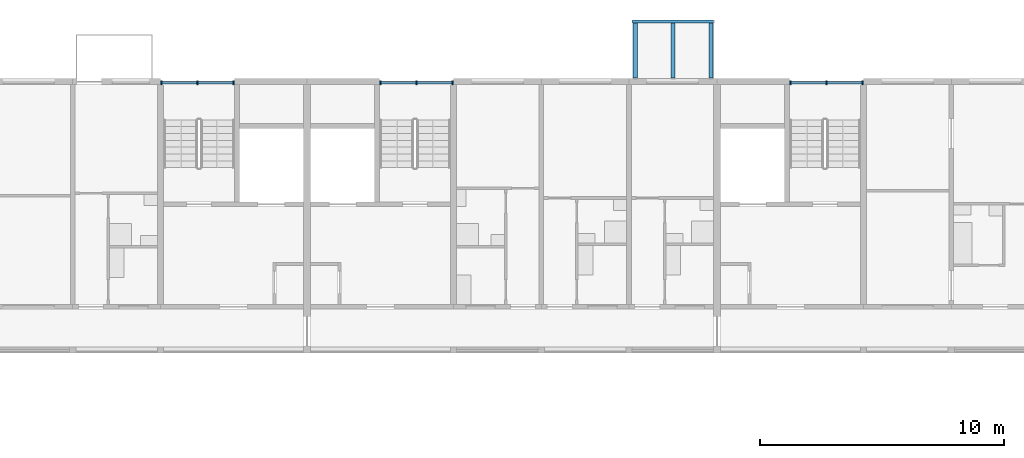
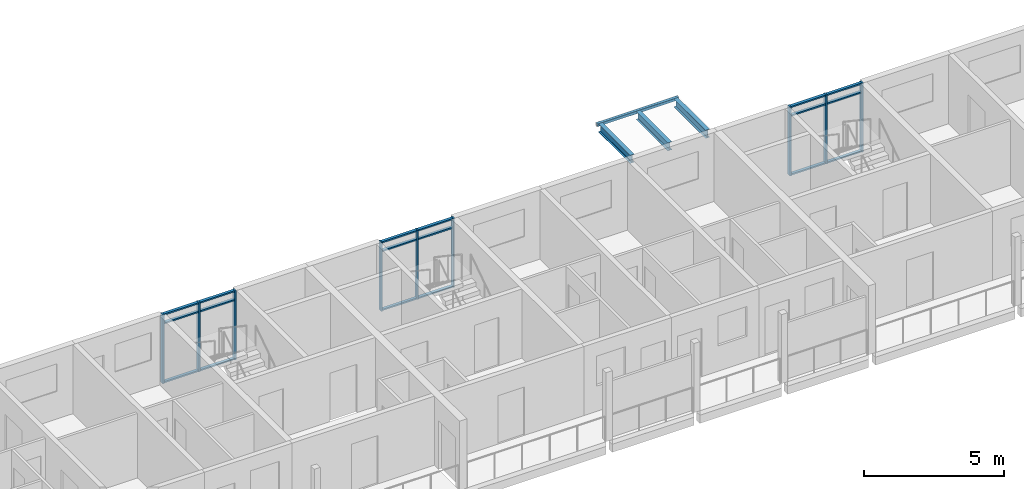
# One storey, part 11 of 100: 27 members, 4 beams, 3 elements without a shape of their own.
"""IFC4 building model written with IfcOpenShell, lengths in metres."""

from ifc_helpers import new_model, si_unit, direction, frame, origin, origin_2d, place, context, subcontext, project, spatial, rectangle, hollow_rectangle, i_section, extrude, material, material_profile, profile_set, type_object, element, aggregate, save


model = new_model("IFC4")

# Units and contexts
model_context = context("Model", 3, precision=1e-05, world=origin(), true_north=direction((0.0, 1.0)))
body_context = subcontext(model_context, "Body", "Model", "MODEL_VIEW")
ifc_project = project(units=[si_unit("LENGTHUNIT", "METRE"), si_unit("AREAUNIT", "SQUARE_METRE"), si_unit("VOLUMEUNIT", "CUBIC_METRE"), si_unit("PLANEANGLEUNIT", "RADIAN"), si_unit("MASSUNIT", "GRAM", prefix="KILO")], contexts=[model_context])

# Site, building, storey
site_placement = place(None, origin())
site = spatial("IfcSite", under=ifc_project, at=site_placement, CompositionType="ELEMENT")
building_placement = place(site_placement, origin())
building = spatial("IfcBuilding", under=site, at=building_placement, Name="Ridgestep Commons", CompositionType="ELEMENT")
storey_placement = place(building_placement, frame((0.0, 0.0, 9.0)))
storey = spatial("IfcBuildingStorey", under=building, at=storey_placement, Name="L03", CompositionType="ELEMENT", Elevation=9.0)

# Curtain wall, members
ifc_material_1 = material(Name="Aluminium 6063-T6 and glass", Category="aluminium")
curtain_wall_type = type_object("IfcCurtainWallType", Name="Curtain wall stair strip", PredefinedType="NOTDEFINED", material=ifc_material_1)
curtain_wall_1_placement = place(storey_placement, origin())
curtain_wall_1 = element("IfcCurtainWall", 1, at=curtain_wall_1_placement, inside=storey, type_object=curtain_wall_type, Name="Curtain wall B1C level 03", PredefinedType="NOTDEFINED")
ifc_material_2 = material(Name="Aluminium 6063-T6", Category="aluminium")
ifc_material_profile_1 = material_profile(ifc_material_2, rectangle(XDim=0.159912109375, YDim=0.06005859375, at=origin_2d()), Name="Mullion 60 x 160")
ifc_profile_set_1 = profile_set([ifc_material_profile_1], Name="Aluminium 6063-T6")
member_type_1 = type_object("IfcMemberType", Name="Mullion 60 x 160", PredefinedType="MULLION", material=ifc_profile_set_1)
member_1_placement = place(storey_placement, frame((22.830078125, 77.080078125, 0.0), z_axis=(0.0, 0.0, 1.0), x_axis=(0.0, 1.0, 0.0)))
member_1 = element("IfcMember", 2, at=member_1_placement, type_object=member_type_1, Name="CW1 mullion 1", PredefinedType="MULLION", context=body_context, shape_type="SweptSolid", body=[
    extrude(rectangle(XDim=0.159912109375, YDim=0.06005859375, at=origin_2d()), origin(), (0.0, 0.0, 1.0), 3.0),
])
member_2_placement = place(storey_placement, frame((24.3125, 77.080078125, 0.0), z_axis=(0.0, 0.0, 1.0), x_axis=(0.0, 1.0, 0.0)))
member_2 = element("IfcMember", 3, at=member_2_placement, type_object=member_type_1, Name="CW1 mullion 2", PredefinedType="MULLION", context=body_context, shape_type="SweptSolid", body=[
    extrude(rectangle(XDim=0.159912109375, YDim=0.06005859375, at=origin_2d()), origin(), (0.0, 0.0, 1.0), 3.0),
])
member_3_placement = place(storey_placement, frame((25.794921875, 77.080078125, 0.0), z_axis=(0.0, 0.0, 1.0), x_axis=(0.0, 1.0, 0.0)))
member_3 = element("IfcMember", 4, at=member_3_placement, type_object=member_type_1, Name="CW1 mullion 3", PredefinedType="MULLION", context=body_context, shape_type="SweptSolid", body=[
    extrude(rectangle(XDim=0.159912109375, YDim=0.06005859375, at=origin_2d()), origin(), (0.0, 0.0, 1.0), 3.0),
])

curtain_wall_2_placement = place(storey_placement, origin())
curtain_wall_2 = element("IfcCurtainWall", 5, at=curtain_wall_2_placement, inside=storey, type_object=curtain_wall_type, Name="Curtain wall B2C level 03", PredefinedType="NOTDEFINED")
member_4_placement = place(storey_placement, frame((31.804931640625, 77.080078125, 0.0), z_axis=(0.0, 0.0, 1.0), x_axis=(0.0, 1.0, 0.0)))
member_4 = element("IfcMember", 6, at=member_4_placement, type_object=member_type_1, Name="CW1 mullion 1", PredefinedType="MULLION", context=body_context, shape_type="SweptSolid", body=[
    extrude(rectangle(XDim=0.159912109375, YDim=0.06005859375, at=origin_2d()), origin(), (0.0, 0.0, 1.0), 3.0),
])
member_5_placement = place(storey_placement, frame((33.28759765625, 77.080078125, 0.0), z_axis=(0.0, 0.0, 1.0), x_axis=(0.0, 1.0, 0.0)))
member_5 = element("IfcMember", 7, at=member_5_placement, type_object=member_type_1, Name="CW1 mullion 2", PredefinedType="MULLION", context=body_context, shape_type="SweptSolid", body=[
    extrude(rectangle(XDim=0.159912109375, YDim=0.06005859375, at=origin_2d()), origin(), (0.0, 0.0, 1.0), 3.0),
])
member_6_placement = place(storey_placement, frame((34.77001953125, 77.080078125, 0.0), z_axis=(0.0, 0.0, 1.0), x_axis=(0.0, 1.0, 0.0)))
member_6 = element("IfcMember", 8, at=member_6_placement, type_object=member_type_1, Name="CW1 mullion 3", PredefinedType="MULLION", context=body_context, shape_type="SweptSolid", body=[
    extrude(rectangle(XDim=0.159912109375, YDim=0.06005859375, at=origin_2d()), origin(), (0.0, 0.0, 1.0), 3.0),
])

curtain_wall_3_placement = place(storey_placement, origin())
curtain_wall_3 = element("IfcCurtainWall", 9, at=curtain_wall_3_placement, inside=storey, type_object=curtain_wall_type, Name="Curtain wall B3C level 03", PredefinedType="NOTDEFINED")
member_7_placement = place(storey_placement, frame((48.60498046875, 77.080078125, 0.0), z_axis=(0.0, 0.0, 1.0), x_axis=(0.0, 1.0, 0.0)))
member_7 = element("IfcMember", 10, at=member_7_placement, type_object=member_type_1, Name="CW1 mullion 1", PredefinedType="MULLION", context=body_context, shape_type="SweptSolid", body=[
    extrude(rectangle(XDim=0.159912109375, YDim=0.06005859375, at=origin_2d()), origin(), (0.0, 0.0, 1.0), 3.0),
])
member_8_placement = place(storey_placement, frame((50.08740234375, 77.080078125, 0.0), z_axis=(0.0, 0.0, 1.0), x_axis=(0.0, 1.0, 0.0)))
member_8 = element("IfcMember", 11, at=member_8_placement, type_object=member_type_1, Name="CW1 mullion 2", PredefinedType="MULLION", context=body_context, shape_type="SweptSolid", body=[
    extrude(rectangle(XDim=0.159912109375, YDim=0.06005859375, at=origin_2d()), origin(), (0.0, 0.0, 1.0), 3.0),
])
member_9_placement = place(storey_placement, frame((51.570068359375, 77.080078125, 0.0), z_axis=(0.0, 0.0, 1.0), x_axis=(0.0, 1.0, 0.0)))
member_9 = element("IfcMember", 12, at=member_9_placement, type_object=member_type_1, Name="CW1 mullion 3", PredefinedType="MULLION", context=body_context, shape_type="SweptSolid", body=[
    extrude(rectangle(XDim=0.159912109375, YDim=0.06005859375, at=origin_2d()), origin(), (0.0, 0.0, 1.0), 3.0),
])

# Member
ifc_material_3 = material(Name="Aluminium 6063-T6", Category="aluminium")
ifc_material_profile_2 = material_profile(ifc_material_3, rectangle(XDim=0.1201171875, YDim=0.06005859375, at=origin_2d()), Name="Transom 60 x 120")
ifc_profile_set_2 = profile_set([ifc_material_profile_2], Name="Aluminium 6063-T6")
member_type_2 = type_object("IfcMemberType", Name="Transom 60 x 120", PredefinedType="USERDEFINED", material=ifc_profile_set_2)
member_10_placement = place(storey_placement, frame((22.860107421875, 77.080078125, 0.030029296875), z_axis=(1.0, 0.0, 0.0), x_axis=(0.0, 1.0, 0.0)))
member_10 = element("IfcMember", 13, at=member_10_placement, type_object=member_type_2, Name="CW1 transom 1.1", ObjectType="TRANSOM", PredefinedType="USERDEFINED", context=body_context, shape_type="SweptSolid", body=[
    extrude(rectangle(XDim=0.1201171875, YDim=0.06005859375, at=origin_2d()), origin(), (0.0, 0.0, 1.0), 1.42236328125),
])

member_11_placement = place(storey_placement, frame((22.860107421875, 77.080078125, 2.590087890625), z_axis=(1.0, 0.0, 0.0), x_axis=(0.0, 1.0, 0.0)))
member_11 = element("IfcMember", 14, at=member_11_placement, type_object=member_type_2, Name="CW1 transom 1.2", ObjectType="TRANSOM", PredefinedType="USERDEFINED", context=body_context, shape_type="SweptSolid", body=[
    extrude(rectangle(XDim=0.1201171875, YDim=0.06005859375, at=origin_2d()), origin(), (0.0, 0.0, 1.0), 1.42236328125),
])

member_12_placement = place(storey_placement, frame((22.860107421875, 77.080078125, 2.969970703125), z_axis=(1.0, 0.0, 0.0), x_axis=(0.0, 1.0, 0.0)))
member_12 = element("IfcMember", 15, at=member_12_placement, type_object=member_type_2, Name="CW1 transom 1.3", ObjectType="TRANSOM", PredefinedType="USERDEFINED", context=body_context, shape_type="SweptSolid", body=[
    extrude(rectangle(XDim=0.1201171875, YDim=0.06005859375, at=origin_2d()), origin(), (0.0, 0.0, 1.0), 1.42236328125),
])

member_13_placement = place(storey_placement, frame((24.342529296875, 77.080078125, 0.030029296875), z_axis=(1.0, 0.0, 0.0), x_axis=(0.0, 1.0, 0.0)))
member_13 = element("IfcMember", 16, at=member_13_placement, type_object=member_type_2, Name="CW1 transom 2.1", ObjectType="TRANSOM", PredefinedType="USERDEFINED", context=body_context, shape_type="SweptSolid", body=[
    extrude(rectangle(XDim=0.1201171875, YDim=0.06005859375, at=origin_2d()), origin(), (0.0, 0.0, 1.0), 1.42236328125),
])

member_14_placement = place(storey_placement, frame((24.342529296875, 77.080078125, 2.590087890625), z_axis=(1.0, 0.0, 0.0), x_axis=(0.0, 1.0, 0.0)))
member_14 = element("IfcMember", 17, at=member_14_placement, type_object=member_type_2, Name="CW1 transom 2.2", ObjectType="TRANSOM", PredefinedType="USERDEFINED", context=body_context, shape_type="SweptSolid", body=[
    extrude(rectangle(XDim=0.1201171875, YDim=0.06005859375, at=origin_2d()), origin(), (0.0, 0.0, 1.0), 1.42236328125),
])

member_15_placement = place(storey_placement, frame((24.342529296875, 77.080078125, 2.969970703125), z_axis=(1.0, 0.0, 0.0), x_axis=(0.0, 1.0, 0.0)))
member_15 = element("IfcMember", 18, at=member_15_placement, type_object=member_type_2, Name="CW1 transom 2.3", ObjectType="TRANSOM", PredefinedType="USERDEFINED", context=body_context, shape_type="SweptSolid", body=[
    extrude(rectangle(XDim=0.1201171875, YDim=0.06005859375, at=origin_2d()), origin(), (0.0, 0.0, 1.0), 1.42236328125),
])

aggregate(curtain_wall_1, [member_1, member_2, member_3, member_10, member_11, member_12, member_13, member_14, member_15])

member_16_placement = place(storey_placement, frame((31.8349609375, 77.080078125, 0.030029296875), z_axis=(1.0, 0.0, 0.0), x_axis=(0.0, 1.0, 0.0)))
member_16 = element("IfcMember", 19, at=member_16_placement, type_object=member_type_2, Name="CW1 transom 1.1", ObjectType="TRANSOM", PredefinedType="USERDEFINED", context=body_context, shape_type="SweptSolid", body=[
    extrude(rectangle(XDim=0.1201171875, YDim=0.06005859375, at=origin_2d()), origin(), (0.0, 0.0, 1.0), 1.422607421875),
])

member_17_placement = place(storey_placement, frame((31.8349609375, 77.080078125, 2.590087890625), z_axis=(1.0, 0.0, 0.0), x_axis=(0.0, 1.0, 0.0)))
member_17 = element("IfcMember", 20, at=member_17_placement, type_object=member_type_2, Name="CW1 transom 1.2", ObjectType="TRANSOM", PredefinedType="USERDEFINED", context=body_context, shape_type="SweptSolid", body=[
    extrude(rectangle(XDim=0.1201171875, YDim=0.06005859375, at=origin_2d()), origin(), (0.0, 0.0, 1.0), 1.422607421875),
])

member_18_placement = place(storey_placement, frame((31.8349609375, 77.080078125, 2.969970703125), z_axis=(1.0, 0.0, 0.0), x_axis=(0.0, 1.0, 0.0)))
member_18 = element("IfcMember", 21, at=member_18_placement, type_object=member_type_2, Name="CW1 transom 1.3", ObjectType="TRANSOM", PredefinedType="USERDEFINED", context=body_context, shape_type="SweptSolid", body=[
    extrude(rectangle(XDim=0.1201171875, YDim=0.06005859375, at=origin_2d()), origin(), (0.0, 0.0, 1.0), 1.422607421875),
])

member_19_placement = place(storey_placement, frame((33.3173828125, 77.080078125, 0.030029296875), z_axis=(1.0, 0.0, 0.0), x_axis=(0.0, 1.0, 0.0)))
member_19 = element("IfcMember", 22, at=member_19_placement, type_object=member_type_2, Name="CW1 transom 2.1", ObjectType="TRANSOM", PredefinedType="USERDEFINED", context=body_context, shape_type="SweptSolid", body=[
    extrude(rectangle(XDim=0.1201171875, YDim=0.06005859375, at=origin_2d()), origin(), (0.0, 0.0, 1.0), 1.422607421875),
])

member_20_placement = place(storey_placement, frame((33.3173828125, 77.080078125, 2.590087890625), z_axis=(1.0, 0.0, 0.0), x_axis=(0.0, 1.0, 0.0)))
member_20 = element("IfcMember", 23, at=member_20_placement, type_object=member_type_2, Name="CW1 transom 2.2", ObjectType="TRANSOM", PredefinedType="USERDEFINED", context=body_context, shape_type="SweptSolid", body=[
    extrude(rectangle(XDim=0.1201171875, YDim=0.06005859375, at=origin_2d()), origin(), (0.0, 0.0, 1.0), 1.422607421875),
])

member_21_placement = place(storey_placement, frame((33.3173828125, 77.080078125, 2.969970703125), z_axis=(1.0, 0.0, 0.0), x_axis=(0.0, 1.0, 0.0)))
member_21 = element("IfcMember", 24, at=member_21_placement, type_object=member_type_2, Name="CW1 transom 2.3", ObjectType="TRANSOM", PredefinedType="USERDEFINED", context=body_context, shape_type="SweptSolid", body=[
    extrude(rectangle(XDim=0.1201171875, YDim=0.06005859375, at=origin_2d()), origin(), (0.0, 0.0, 1.0), 1.422607421875),
])

aggregate(curtain_wall_2, [member_4, member_5, member_6, member_16, member_17, member_18, member_19, member_20, member_21])

member_22_placement = place(storey_placement, frame((48.635009765625, 77.080078125, 0.030029296875), z_axis=(1.0, 0.0, 0.0), x_axis=(0.0, 1.0, 0.0)))
member_22 = element("IfcMember", 25, at=member_22_placement, type_object=member_type_2, Name="CW1 transom 1.1", ObjectType="TRANSOM", PredefinedType="USERDEFINED", context=body_context, shape_type="SweptSolid", body=[
    extrude(rectangle(XDim=0.1201171875, YDim=0.06005859375, at=origin_2d()), origin(), (0.0, 0.0, 1.0), 1.422607421875),
])

member_23_placement = place(storey_placement, frame((48.635009765625, 77.080078125, 2.590087890625), z_axis=(1.0, 0.0, 0.0), x_axis=(0.0, 1.0, 0.0)))
member_23 = element("IfcMember", 26, at=member_23_placement, type_object=member_type_2, Name="CW1 transom 1.2", ObjectType="TRANSOM", PredefinedType="USERDEFINED", context=body_context, shape_type="SweptSolid", body=[
    extrude(rectangle(XDim=0.1201171875, YDim=0.06005859375, at=origin_2d()), origin(), (0.0, 0.0, 1.0), 1.422607421875),
])

member_24_placement = place(storey_placement, frame((48.635009765625, 77.080078125, 2.969970703125), z_axis=(1.0, 0.0, 0.0), x_axis=(0.0, 1.0, 0.0)))
member_24 = element("IfcMember", 27, at=member_24_placement, type_object=member_type_2, Name="CW1 transom 1.3", ObjectType="TRANSOM", PredefinedType="USERDEFINED", context=body_context, shape_type="SweptSolid", body=[
    extrude(rectangle(XDim=0.1201171875, YDim=0.06005859375, at=origin_2d()), origin(), (0.0, 0.0, 1.0), 1.422607421875),
])

member_25_placement = place(storey_placement, frame((50.117431640625, 77.080078125, 0.030029296875), z_axis=(1.0, 0.0, 0.0), x_axis=(0.0, 1.0, 0.0)))
member_25 = element("IfcMember", 28, at=member_25_placement, type_object=member_type_2, Name="CW1 transom 2.1", ObjectType="TRANSOM", PredefinedType="USERDEFINED", context=body_context, shape_type="SweptSolid", body=[
    extrude(rectangle(XDim=0.1201171875, YDim=0.06005859375, at=origin_2d()), origin(), (0.0, 0.0, 1.0), 1.422607421875),
])

member_26_placement = place(storey_placement, frame((50.117431640625, 77.080078125, 2.590087890625), z_axis=(1.0, 0.0, 0.0), x_axis=(0.0, 1.0, 0.0)))
member_26 = element("IfcMember", 29, at=member_26_placement, type_object=member_type_2, Name="CW1 transom 2.2", ObjectType="TRANSOM", PredefinedType="USERDEFINED", context=body_context, shape_type="SweptSolid", body=[
    extrude(rectangle(XDim=0.1201171875, YDim=0.06005859375, at=origin_2d()), origin(), (0.0, 0.0, 1.0), 1.422607421875),
])

member_27_placement = place(storey_placement, frame((50.117431640625, 77.080078125, 2.969970703125), z_axis=(1.0, 0.0, 0.0), x_axis=(0.0, 1.0, 0.0)))
member_27 = element("IfcMember", 30, at=member_27_placement, type_object=member_type_2, Name="CW1 transom 2.3", ObjectType="TRANSOM", PredefinedType="USERDEFINED", context=body_context, shape_type="SweptSolid", body=[
    extrude(rectangle(XDim=0.1201171875, YDim=0.06005859375, at=origin_2d()), origin(), (0.0, 0.0, 1.0), 1.422607421875),
])

aggregate(curtain_wall_3, [member_7, member_8, member_9, member_22, member_23, member_24, member_25, member_26, member_27])

# Beams
ifc_material_4 = material(Name="Weathering steel S355J2W", Category="steel")
ifc_material_profile_3 = material_profile(ifc_material_4, i_section(OverallWidth=0.171142578125, OverallDepth=0.351318359375, WebThickness=0.007080078125, FlangeThickness=0.009765625, FilletRadius=0.01025390625, at=origin_2d()), Name="UB 356x171x45")
ifc_profile_set_3 = profile_set([ifc_material_profile_3], Name="Weathering steel S355J2W")
beam_type_1 = type_object("IfcBeamType", Name="Tray arm UB 356x171x45", PredefinedType="BEAM", material=ifc_profile_set_3)
for number, where, z_axis, x_axis, name in (
    (31, (42.25, 77.264892578125, 2.814208984375), (0.0, 1.0, 0.0), (-1.0, 0.0, 0.0), "Tray arm B2T1-04.1"),
    (32, (43.800048828125, 77.264892578125, 2.814208984375), (0.0, 1.0, 0.0), (-1.0, 0.0, 0.0), "Tray arm B2T1-04.2"),
    (33, (45.35009765625, 77.264892578125, 2.814208984375), (0.0, 1.0, 0.0), (-1.0, 0.0, 0.0), "Tray arm B2T1-04.3"),
):
    element("IfcBeam", number, at=place(storey_placement, frame(where, z_axis=z_axis, x_axis=x_axis)), inside=storey, type_object=beam_type_1, Name=name, PredefinedType="BEAM", context=body_context, shape_type="SweptSolid", body=[
        extrude(i_section(OverallWidth=0.171142578125, OverallDepth=0.351318359375, WebThickness=0.007080078125, FlangeThickness=0.009765625, FilletRadius=0.01025390625, at=origin_2d()), origin(), (0.0, 0.0, 1.0), 2.26513671875),
    ])
ifc_material_5 = material(Name="Weathering steel S355J2W", Category="steel")
ifc_material_profile_4 = material_profile(ifc_material_5, hollow_rectangle(XDim=0.1201171875, YDim=0.1201171875, WallThickness=0.00634765625, InnerFilletRadius=0.00634765625, OuterFilletRadius=0.009521484375, at=origin_2d()), Name="SHS 120x120x6.3")
ifc_profile_set_4 = profile_set([ifc_material_profile_4], Name="Weathering steel S355J2W")
beam_type_2 = type_object("IfcBeamType", Name="Tray edge member SHS 120x120x6.3", PredefinedType="BEAM", material=ifc_profile_set_4)
beam_placement = place(storey_placement, frame((42.1298828125, 79.590087890625, 2.929931640625), z_axis=(1.0, 0.0, 0.0), x_axis=(0.0, 0.0, 1.0)))
element("IfcBeam", 34, at=beam_placement, inside=storey, type_object=beam_type_2, Name="Tray edge member B2T1-04", PredefinedType="BEAM", context=body_context, shape_type="SweptSolid", body=[
    extrude(hollow_rectangle(XDim=0.1201171875, YDim=0.1201171875, WallThickness=0.00634765625, InnerFilletRadius=0.00634765625, OuterFilletRadius=0.009521484375, at=origin_2d()), origin(), (0.0, 0.0, 1.0), 3.340087890625),
])

save(model, "model.ifc")
